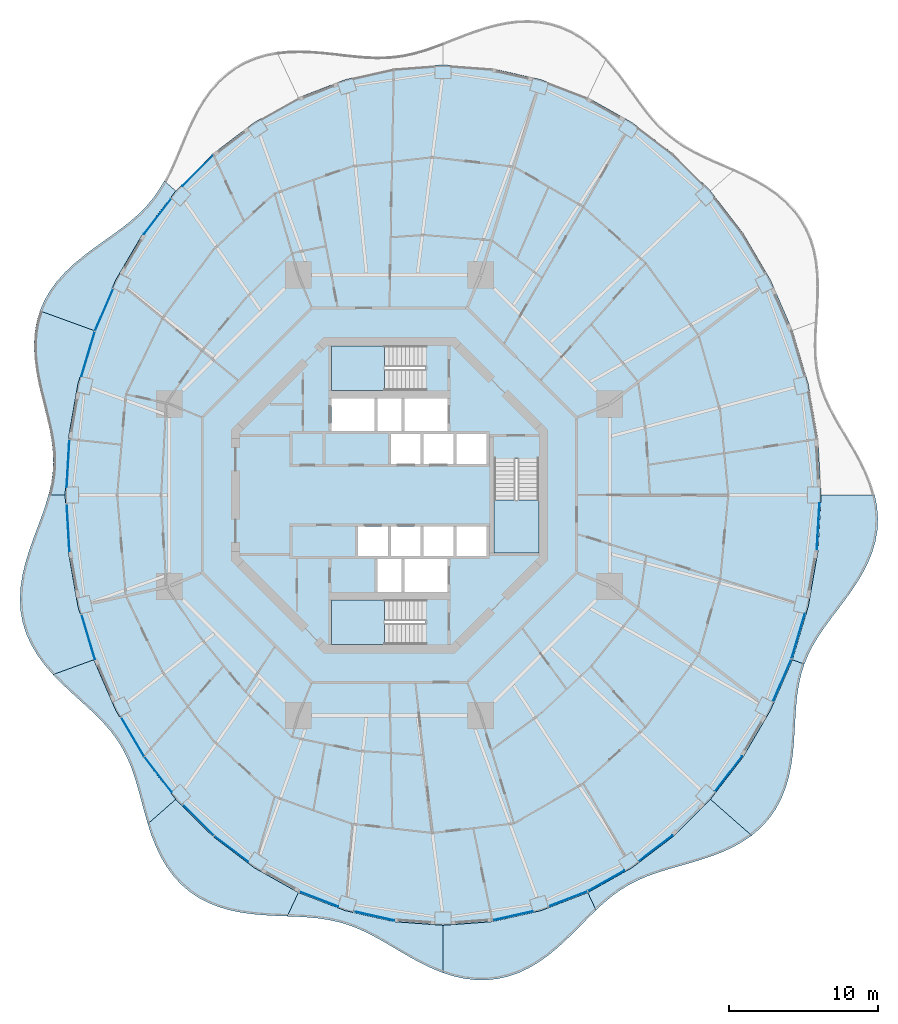
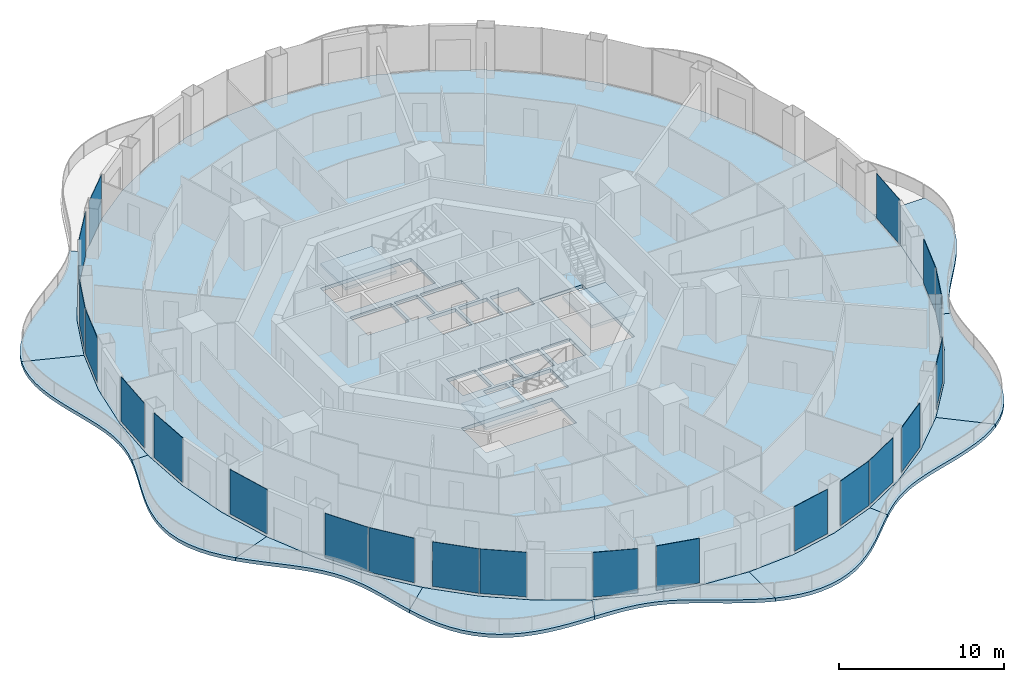
# One storey, part 9 of 19: 21 plates, 14 slabs, 24 elements without a shape of their own.
"""IFC4 building model written with IfcOpenShell, lengths in metres."""

from ifc_helpers import new_model, si_unit, direction, frame, origin, origin_2d, place, context, subcontext, project, spatial, polyline, rectangle, outline, extrude, material, layer, layer_set, type_object, element, aggregate, save


model = new_model("IFC4")

# Units and contexts
model_context = context("Model", 3, precision=1e-05, world=origin(), true_north=direction((0.0, 1.0)))
body_context = subcontext(model_context, "Body", "Model", "MODEL_VIEW")
ifc_project = project(units=[si_unit("LENGTHUNIT", "METRE"), si_unit("AREAUNIT", "SQUARE_METRE"), si_unit("VOLUMEUNIT", "CUBIC_METRE"), si_unit("PLANEANGLEUNIT", "RADIAN"), si_unit("MASSUNIT", "GRAM", prefix="KILO")], contexts=[model_context])

# Site, building, storey
site_placement = place(None, origin())
site = spatial("IfcSite", under=ifc_project, at=site_placement, CompositionType="ELEMENT")
building_placement = place(site_placement, origin())
building = spatial("IfcBuilding", under=site, at=building_placement, Name="Nagisa Residences", CompositionType="ELEMENT")
storey_placement = place(building_placement, frame((0.0, 0.0, 180.699951171875)))
storey = spatial("IfcBuildingStorey", under=building, at=storey_placement, Name="L45", CompositionType="ELEMENT", Elevation=180.699951171875)

# Slabs
ifc_material_1 = material(Name="Concrete C40/50", Category="concrete")
ifc_layer_1 = layer(ifc_material_1, 0.25)
ifc_layer_set_1 = layer_set([ifc_layer_1], Name="BALCONY SLAB 250")
slab_type_1 = type_object("IfcSlabType", Name="BALCONY SLAB 250", PredefinedType="FLOOR", material=ifc_layer_set_1)
slab_1_placement = place(storey_placement, frame((0.0, 0.0, -0.25)))
element("IfcSlab", 1, at=slab_1_placement, inside=storey, type_object=slab_type_1, Name="slab:L45:bal06", PredefinedType="FLOOR", context=body_context, shape_type="SweptSolid", body=[
    extrude(outline(polyline([(-15.109619140625, 21.091552734375), (-15.476806640625, 20.4755859375), (-15.884521484375, 19.899169921875), (-16.338134765625, 19.3603515625), (-16.840087890625, 18.85400390625), (-17.388427734375, 18.373291015625), (-17.978515625, 17.90966796875), (-18.601806640625, 17.453369140625), (-19.24755859375, 16.994873046875), (-19.90185546875, 16.524169921875), (-20.5498046875, 16.03271484375), (-21.17529296875, 15.51318359375), (-21.762451171875, 14.959716796875), (-22.29638671875, 14.368896484375), (-22.763916015625, 13.739013671875), (-23.154541015625, 13.07080078125), (-23.461181640625, 12.366943359375), (-19.843505859375, 11.050048828125), (-18.37548828125, 14.4375), (-16.53125, 17.577880859375), (-14.3427734375, 20.417724609375), (-15.109619140625, 21.091552734375)])), origin(), (0.0, 0.0, 1.0), 0.25),
])
slab_2_placement = place(storey_placement, frame((0.0, 0.0, -0.25)))
element("IfcSlab", 2, at=slab_2_placement, inside=storey, type_object=slab_type_1, Name="slab:L45:bal07", PredefinedType="FLOOR", context=body_context, shape_type="SweptSolid", body=[
    extrude(outline(polyline([(-23.461181640625, 12.366943359375), (-23.685546875, 11.607421875), (-23.816650390625, 10.82080078125), (-23.859375, 10.01416015625), (-23.82275390625, 9.1953125), (-23.719482421875, 8.371826171875), (-23.565185546875, 7.550537109375), (-23.377685546875, 6.737548828125), (-23.176025390625, 5.9375), (-22.9794921875, 5.153076171875), (-22.8056640625, 4.38525390625), (-22.670654296875, 3.633544921875), (-22.5869140625, 2.8955078125), (-22.563720703125, 2.167724609375), (-22.60595703125, 1.44580078125), (-22.71337890625, 0.724853515625), (-22.88134765625, 0.0), (-21.77490234375, 0.0), (-21.557861328125, 3.76904296875), (-20.910400390625, 7.473388671875), (-19.843505859375, 11.050048828125), (-23.461181640625, 12.366943359375)])), origin(), (0.0, 0.0, 1.0), 0.25),
])
slab_3_placement = place(storey_placement, frame((0.0, 0.0, -0.25)))
element("IfcSlab", 3, at=slab_3_placement, inside=storey, type_object=slab_type_1, Name="slab:L45:bal08", PredefinedType="FLOOR", context=body_context, shape_type="SweptSolid", body=[
    extrude(outline(polyline([(-22.88134765625, 0.0), (-23.1015625, -0.733154296875), (-23.360595703125, -1.478271484375), (-23.643310546875, -2.2373046875), (-23.930908203125, -3.01123046875), (-24.204833984375, -3.798828125), (-24.445556640625, -4.597900390625), (-24.634521484375, -5.404296875), (-24.756103515625, -6.21240234375), (-24.796875, -7.0166015625), (-24.747314453125, -7.809814453125), (-24.6025390625, -8.5859375), (-24.36181640625, -9.338623046875), (-24.02880859375, -10.063232421875), (-23.612060546875, -10.756591796875), (-23.123046875, -11.4169921875), (-22.5771484375, -12.045166015625), (-19.843505859375, -11.050048828125), (-20.910400390625, -7.473388671875), (-21.557861328125, -3.76904296875), (-21.77490234375, 0.0), (-22.88134765625, 0.0)])), origin(), (0.0, 0.0, 1.0), 0.25),
])
slab_4_placement = place(storey_placement, frame((0.0, 0.0, -0.25)))
element("IfcSlab", 4, at=slab_4_placement, inside=storey, type_object=slab_type_1, Name="slab:L45:bal09", PredefinedType="FLOOR", context=body_context, shape_type="SweptSolid", body=[
    extrude(outline(polyline([(-22.5771484375, -12.045166015625), (-22.009765625, -12.62548828125), (-21.421142578125, -13.182373046875), (-20.828369140625, -13.7216796875), (-20.24658203125, -14.25048828125), (-19.6904296875, -14.777099609375), (-19.171630859375, -15.31005859375), (-18.6982421875, -15.857421875), (-18.27587890625, -16.4267578125), (-17.90576171875, -17.0244140625), (-17.585693359375, -17.65478515625), (-17.310302734375, -18.31982421875), (-17.0703125, -19.01953125), (-16.854736328125, -19.750732421875), (-16.650146484375, -20.5078125), (-16.44287109375, -21.282958984375), (-16.218017578125, -22.065673828125), (-14.3427734375, -20.417724609375), (-16.53125, -17.577880859375), (-18.37548828125, -14.4375), (-19.843505859375, -11.050048828125), (-22.5771484375, -12.045166015625)])), origin(), (0.0, 0.0, 1.0), 0.25),
])
slab_5_placement = place(storey_placement, frame((0.0, 0.0, -0.25)))
element("IfcSlab", 5, at=slab_5_placement, inside=storey, type_object=slab_type_1, Name="slab:L45:bal10", PredefinedType="FLOOR", context=body_context, shape_type="SweptSolid", body=[
    extrude(outline(polyline([(-16.218017578125, -22.065673828125), (-15.975341796875, -22.80810546875), (-15.693603515625, -23.535400390625), (-15.364501953125, -24.236328125), (-14.980712890625, -24.8994140625), (-14.538330078125, -25.514404296875), (-14.035888671875, -26.072509765625), (-13.47412109375, -26.56640625), (-12.8564453125, -26.991455078125), (-12.18896484375, -27.34619140625), (-11.479248046875, -27.630859375), (-10.736083984375, -27.849853515625), (-9.969482421875, -28.009521484375), (-9.189208984375, -28.118896484375), (-8.405029296875, -28.189208984375), (-7.625732421875, -28.233154296875), (-6.858642578125, -28.264404296875), (-6.110595703125, -26.677001953125), (-9.08740234375, -25.006591796875), (-11.847412109375, -22.907958984375), (-14.3427734375, -20.417724609375), (-16.218017578125, -22.065673828125)])), origin(), (0.0, 0.0, 1.0), 0.25),
])
slab_6_placement = place(storey_placement, frame((0.0, 0.0, -0.25)))
element("IfcSlab", 6, at=slab_6_placement, inside=storey, type_object=slab_type_1, Name="slab:L45:bal11", PredefinedType="FLOOR", context=body_context, shape_type="SweptSolid", body=[
    extrude(outline(polyline([(-6.858642578125, -28.264404296875), (-6.13623046875, -28.294921875), (-5.433837890625, -28.33837890625), (-4.752685546875, -28.405029296875), (-4.0927734375, -28.504150390625), (-3.4521484375, -28.642578125), (-2.827392578125, -28.824462890625), (-2.2138671875, -29.0517578125), (-1.606201171875, -29.322509765625), (-0.999267578125, -29.6328125), (-0.386962890625, -29.9755859375), (0.2353515625, -30.3408203125), (0.8720703125, -30.71728515625), (1.526123046875, -31.091796875), (2.198974609375, -31.450439453125), (2.890869140625, -31.779052734375), (3.60009765625, -32.063720703125), (3.60009765625, -28.875), (0.287841796875, -28.6279296875), (-2.967529296875, -27.89111328125), (-6.110595703125, -26.677001953125), (-6.858642578125, -28.264404296875)])), origin(), (0.0, 0.0, 1.0), 0.25),
])
slab_7_placement = place(storey_placement, frame((0.0, 0.0, -0.25)))
element("IfcSlab", 7, at=slab_7_placement, inside=storey, type_object=slab_type_1, Name="slab:L45:bal12", PredefinedType="FLOOR", context=body_context, shape_type="SweptSolid", body=[
    extrude(outline(polyline([(3.60009765625, -32.063720703125), (4.32373046875, -32.292236328125), (5.0576171875, -32.45361328125), (5.79638671875, -32.53955078125), (6.533935546875, -32.5439453125), (7.2646484375, -32.46435546875), (7.98193359375, -32.300537109375), (8.680419921875, -32.05615234375), (9.35595703125, -31.7373046875), (10.004638671875, -31.3525390625), (10.625244140625, -30.912841796875), (11.217529296875, -30.430908203125), (11.783203125, -29.919677734375), (12.3251953125, -29.39306640625), (12.848388671875, -28.864501953125), (13.35888671875, -28.346435546875), (13.86328125, -27.849609375), (13.310546875, -26.677001953125), (10.16748046875, -27.89111328125), (6.912109375, -28.6279296875), (3.60009765625, -28.875), (3.60009765625, -32.063720703125)])), origin(), (0.0, 0.0, 1.0), 0.25),
])
slab_8_placement = place(storey_placement, frame((0.0, 0.0, -0.25)))
element("IfcSlab", 8, at=slab_8_placement, inside=storey, type_object=slab_type_1, Name="slab:L45:bal13", PredefinedType="FLOOR", context=body_context, shape_type="SweptSolid", body=[
    extrude(outline(polyline([(13.86328125, -27.849609375), (14.387939453125, -27.366455078125), (14.921875, -26.923095703125), (15.472412109375, -26.52392578125), (16.0458984375, -26.170166015625), (16.647216796875, -25.85986328125), (17.27880859375, -25.588134765625), (17.94140625, -25.347412109375), (18.6328125, -25.12890625), (19.34912109375, -24.92138671875), (20.083251953125, -24.713134765625), (20.826904296875, -24.492431640625), (21.56982421875, -24.24755859375), (22.30078125, -23.968505859375), (23.008056640625, -23.646240234375), (23.680419921875, -23.273681640625), (24.306640625, -22.846435546875), (21.542724609375, -20.417724609375), (19.04736328125, -22.907958984375), (16.28759765625, -25.006591796875), (13.310546875, -26.677001953125), (13.86328125, -27.849609375)])), origin(), (0.0, 0.0, 1.0), 0.25),
])
slab_9_placement = place(storey_placement, frame((0.0, 0.0, -0.25)))
element("IfcSlab", 9, at=slab_9_placement, inside=storey, type_object=slab_type_1, Name="slab:L45:bal14", PredefinedType="FLOOR", context=body_context, shape_type="SweptSolid", body=[
    extrude(outline(polyline([(24.306640625, -22.846435546875), (24.904052734375, -22.3369140625), (25.431884765625, -21.76513671875), (25.885009765625, -21.13427734375), (26.2607421875, -20.4501953125), (26.560546875, -19.720458984375), (26.7890625, -18.954833984375), (26.95458984375, -18.16357421875), (27.06787109375, -17.357421875), (27.142822265625, -16.546875), (27.19384765625, -15.7412109375), (27.2373046875, -14.94921875), (27.2890625, -14.1767578125), (27.363525390625, -13.428466796875), (27.47412109375, -12.70654296875), (27.63134765625, -12.011474609375), (27.84228515625, -11.3408203125), (27.04345703125, -11.050048828125), (25.575439453125, -14.4375), (23.7314453125, -17.577880859375), (21.542724609375, -20.417724609375), (24.306640625, -22.846435546875)])), origin(), (0.0, 0.0, 1.0), 0.25),
])
slab_10_placement = place(storey_placement, frame((0.0, 0.0, -0.25)))
element("IfcSlab", 10, at=slab_10_placement, inside=storey, type_object=slab_type_1, Name="slab:L45:bal15", PredefinedType="FLOOR", context=body_context, shape_type="SweptSolid", body=[
    extrude(outline(polyline([(27.84228515625, -11.3408203125), (28.1201171875, -10.670654296875), (28.45849609375, -10.017578125), (28.853271484375, -9.375), (29.294921875, -8.73583984375), (29.770751953125, -8.09326171875), (30.265380859375, -7.44091796875), (30.760498046875, -6.7734375), (31.237548828125, -6.08740234375), (31.677001953125, -5.38037109375), (32.061279296875, -4.65185546875), (32.37451171875, -3.903564453125), (32.60400390625, -3.137939453125), (32.740478515625, -2.359619140625), (32.779296875, -1.573486328125), (32.720458984375, -0.78515625), (32.568603515625, 0.0), (28.97509765625, 0.0), (28.7578125, -3.76904296875), (28.1103515625, -7.473388671875), (27.04345703125, -11.050048828125), (27.84228515625, -11.3408203125)])), origin(), (0.0, 0.0, 1.0), 0.25),
])

# Curtain wall, plate
ifc_material_2 = material(Name="Concrete-coloured aluminium curtain wall system", Category="concrete")
ifc_layer_2 = layer(ifc_material_2, 0.159912109375)
ifc_layer_set_2 = layer_set([ifc_layer_2], Name="CW1 CURTAIN WALL")
curtain_wall_type = type_object("IfcCurtainWallType", Name="CW1 CURTAIN WALL", PredefinedType="NOTDEFINED", material=ifc_layer_set_2)
curtain_wall_1_placement = place(storey_placement, origin())
curtain_wall_1 = element("IfcCurtainWall", 11, at=curtain_wall_1_placement, inside=storey, type_object=curtain_wall_type, Name="cw:CW1:L45:17", PredefinedType="NOTDEFINED")
ifc_material_3 = material(Name="Clear laminated glass", Category="glass")
ifc_layer_3 = layer(ifc_material_3, 0.028076171875)
ifc_layer_set_3 = layer_set([ifc_layer_3], Name="CW1 GLASS PANEL")
plate_type = type_object("IfcPlateType", Name="CW1 GLASS PANEL", PredefinedType="CURTAIN_PANEL", material=ifc_layer_set_3)
plate_1_placement = place(storey_placement, frame((-12.865234375, 21.779296875, 0.150146484375), z_axis=(0.0, 0.0, 1.0), x_axis=(-0.707835924016, -0.706376885714, 0.0)))
plate_1 = element("IfcPlate", 12, at=plate_1_placement, type_object=plate_type, Name="CW1 panel", PredefinedType="CURTAIN_PANEL", context=body_context, shape_type="SweptSolid", body=[
    extrude(rectangle(XDim=2.91552734375, YDim=0.028076171875, at=origin_2d()), origin(), (0.0, 0.0, 1.0), 3.2900390625),
])
aggregate(curtain_wall_1, [plate_1])

curtain_wall_2_placement = place(storey_placement, origin())
curtain_wall_2 = element("IfcCurtainWall", 13, at=curtain_wall_2_placement, inside=storey, type_object=curtain_wall_type, Name="cw:CW1:L45:18", PredefinedType="NOTDEFINED")
plate_2_placement = place(storey_placement, frame((-15.559814453125, 18.70751953125, 0.150146484375), z_axis=(0.0, 0.0, 1.0), x_axis=(-0.610429828235, -0.792070340816, 0.0)))
plate_2 = element("IfcPlate", 14, at=plate_2_placement, type_object=plate_type, Name="CW1 panel", PredefinedType="CURTAIN_PANEL", context=body_context, shape_type="SweptSolid", body=[
    extrude(rectangle(XDim=2.97509765625, YDim=0.028076171875, at=origin_2d()), origin(), (0.0, 0.0, 1.0), 3.2900390625),
])
aggregate(curtain_wall_2, [plate_2])

curtain_wall_3_placement = place(storey_placement, origin())
curtain_wall_3 = element("IfcCurtainWall", 15, at=curtain_wall_3_placement, inside=storey, type_object=curtain_wall_type, Name="cw:CW1:L45:20", PredefinedType="NOTDEFINED")
plate_3_placement = place(storey_placement, frame((-19.1572265625, 12.43212890625, 0.150146484375), z_axis=(0.0, 0.0, 1.0), x_axis=(-0.397635934147, -0.917543276295, 0.0)))
plate_3 = element("IfcPlate", 16, at=plate_3_placement, type_object=plate_type, Name="CW1 panel", PredefinedType="CURTAIN_PANEL", context=body_context, shape_type="SweptSolid", body=[
    extrude(rectangle(XDim=3.08203125, YDim=0.028076171875, at=origin_2d()), origin(), (0.0, 0.0, 1.0), 3.2900390625),
])
aggregate(curtain_wall_3, [plate_3])

curtain_wall_4_placement = place(storey_placement, origin())
curtain_wall_4 = element("IfcCurtainWall", 17, at=curtain_wall_4_placement, inside=storey, type_object=curtain_wall_type, Name="cw:CW1:L45:21", PredefinedType="NOTDEFINED")
plate_4_placement = place(storey_placement, frame((-20.230224609375, 9.4736328125, 0.150146484375), z_axis=(0.0, 0.0, 1.0), x_axis=(-0.285860274038, -0.958271310082, 0.0)))
plate_4 = element("IfcPlate", 18, at=plate_4_placement, type_object=plate_type, Name="CW1 panel", PredefinedType="CURTAIN_PANEL", context=body_context, shape_type="SweptSolid", body=[
    extrude(rectangle(XDim=3.122314453125, YDim=0.028076171875, at=origin_2d()), origin(), (0.0, 0.0, 1.0), 3.2900390625),
])
aggregate(curtain_wall_4, [plate_4])

curtain_wall_5_placement = place(storey_placement, origin())
curtain_wall_5 = element("IfcCurtainWall", 19, at=curtain_wall_5_placement, inside=storey, type_object=curtain_wall_type, Name="cw:CW1:L45:23", PredefinedType="NOTDEFINED")
plate_5_placement = place(storey_placement, frame((-21.572509765625, 2.12451171875, 0.150146484375), z_axis=(0.0, 0.0, 1.0), x_axis=(-0.057503492216, -0.998345305184, 0.0)))
plate_5 = element("IfcPlate", 20, at=plate_5_placement, type_object=plate_type, Name="CW1 panel", PredefinedType="CURTAIN_PANEL", context=body_context, shape_type="SweptSolid", body=[
    extrude(rectangle(XDim=3.165283203125, YDim=0.028076171875, at=origin_2d()), origin(), (0.0, 0.0, 1.0), 3.2900390625),
])
aggregate(curtain_wall_5, [plate_5])

curtain_wall_6_placement = place(storey_placement, origin())
curtain_wall_6 = element("IfcCurtainWall", 21, at=curtain_wall_6_placement, inside=storey, type_object=curtain_wall_type, Name="cw:CW1:L45:24", PredefinedType="NOTDEFINED")
plate_6_placement = place(storey_placement, frame((-21.569091796875, -2.184326171875, 0.150146484375), z_axis=(0.0, 0.0, 1.0), x_axis=(0.057503492216, -0.998345305184, 0.0)))
plate_6 = element("IfcPlate", 22, at=plate_6_placement, type_object=plate_type, Name="CW1 panel", PredefinedType="CURTAIN_PANEL", context=body_context, shape_type="SweptSolid", body=[
    extrude(rectangle(XDim=3.165283203125, YDim=0.028076171875, at=origin_2d()), origin(), (0.0, 0.0, 1.0), 3.2900390625),
])
aggregate(curtain_wall_6, [plate_6])

curtain_wall_7_placement = place(storey_placement, origin())
curtain_wall_7 = element("IfcCurtainWall", 23, at=curtain_wall_7_placement, inside=storey, type_object=curtain_wall_type, Name="cw:CW1:L45:26", PredefinedType="NOTDEFINED")
plate_7_placement = place(storey_placement, frame((-20.213134765625, -9.531005859375, 0.150146484375), z_axis=(0.0, 0.0, 1.0), x_axis=(0.285860274038, -0.958271310082, 0.0)))
plate_7 = element("IfcPlate", 24, at=plate_7_placement, type_object=plate_type, Name="CW1 panel", PredefinedType="CURTAIN_PANEL", context=body_context, shape_type="SweptSolid", body=[
    extrude(rectangle(XDim=3.122314453125, YDim=0.028076171875, at=origin_2d()), origin(), (0.0, 0.0, 1.0), 3.2900390625),
])
aggregate(curtain_wall_7, [plate_7])

curtain_wall_8_placement = place(storey_placement, origin())
curtain_wall_8 = element("IfcCurtainWall", 25, at=curtain_wall_8_placement, inside=storey, type_object=curtain_wall_type, Name="cw:CW1:L45:28", PredefinedType="NOTDEFINED")
plate_8_placement = place(storey_placement, frame((-17.22998046875, -16.230224609375, 0.150146484375), z_axis=(0.0, 0.0, 1.0), x_axis=(0.506348567002, -0.862328898214, 0.0)))
plate_8 = element("IfcPlate", 26, at=plate_8_placement, type_object=plate_type, Name="CW1 panel", PredefinedType="CURTAIN_PANEL", context=body_context, shape_type="SweptSolid", body=[
    extrude(rectangle(XDim=3.031982421875, YDim=0.028076171875, at=origin_2d()), origin(), (0.0, 0.0, 1.0), 3.2900390625),
])
aggregate(curtain_wall_8, [plate_8])

curtain_wall_9_placement = place(storey_placement, origin())
curtain_wall_9 = element("IfcCurtainWall", 27, at=curtain_wall_9_placement, inside=storey, type_object=curtain_wall_type, Name="cw:CW1:L45:29", PredefinedType="NOTDEFINED")
plate_9_placement = place(storey_placement, frame((-15.523193359375, -18.7548828125, 0.150146484375), z_axis=(0.0, 0.0, 1.0), x_axis=(0.610429828235, -0.792070340816, 0.0)))
plate_9 = element("IfcPlate", 28, at=plate_9_placement, type_object=plate_type, Name="CW1 panel", PredefinedType="CURTAIN_PANEL", context=body_context, shape_type="SweptSolid", body=[
    extrude(rectangle(XDim=2.97509765625, YDim=0.028076171875, at=origin_2d()), origin(), (0.0, 0.0, 1.0), 3.2900390625),
])
aggregate(curtain_wall_9, [plate_9])

curtain_wall_10_placement = place(storey_placement, origin())
curtain_wall_10 = element("IfcCurtainWall", 29, at=curtain_wall_10_placement, inside=storey, type_object=curtain_wall_type, Name="cw:CW1:L45:30", PredefinedType="NOTDEFINED")
plate_10_placement = place(storey_placement, frame((-12.82275390625, -21.82177734375, 0.150146484375), z_axis=(0.0, 0.0, 1.0), x_axis=(0.707835924016, -0.706376885714, 0.0)))
plate_10 = element("IfcPlate", 30, at=plate_10_placement, type_object=plate_type, Name="CW1 panel", PredefinedType="CURTAIN_PANEL", context=body_context, shape_type="SweptSolid", body=[
    extrude(rectangle(XDim=2.91552734375, YDim=0.028076171875, at=origin_2d()), origin(), (0.0, 0.0, 1.0), 3.2900390625),
])
aggregate(curtain_wall_10, [plate_10])

curtain_wall_11_placement = place(storey_placement, origin())
curtain_wall_11 = element("IfcCurtainWall", 31, at=curtain_wall_11_placement, inside=storey, type_object=curtain_wall_type, Name="cw:CW1:L45:31", PredefinedType="NOTDEFINED")
plate_11_placement = place(storey_placement, frame((-10.614013671875, -23.745361328125, 0.150146484375), z_axis=(0.0, 0.0, 1.0), x_axis=(0.79603132756, -0.605255421737, 0.0)))
plate_11 = element("IfcPlate", 32, at=plate_11_placement, type_object=plate_type, Name="CW1 panel", PredefinedType="CURTAIN_PANEL", context=body_context, shape_type="SweptSolid", body=[
    extrude(rectangle(XDim=2.85693359375, YDim=0.028076171875, at=origin_2d()), origin(), (0.0, 0.0, 1.0), 3.2900390625),
])
aggregate(curtain_wall_11, [plate_11])

curtain_wall_12_placement = place(storey_placement, origin())
curtain_wall_12 = element("IfcCurtainWall", 33, at=curtain_wall_12_placement, inside=storey, type_object=curtain_wall_type, Name="cw:CW1:L45:33", PredefinedType="NOTDEFINED")
plate_12_placement = place(storey_placement, frame((-4.73876953125, -27.12109375, 0.150146484375), z_axis=(0.0, 0.0, 1.0), x_axis=(0.932825759707, -0.360327770268, 0.0)))
plate_12 = element("IfcPlate", 34, at=plate_12_placement, type_object=plate_type, Name="CW1 panel", PredefinedType="CURTAIN_PANEL", context=body_context, shape_type="SweptSolid", body=[
    extrude(rectangle(XDim=2.75927734375, YDim=0.028076171875, at=origin_2d()), origin(), (0.0, 0.0, 1.0), 3.2900390625),
])
aggregate(curtain_wall_12, [plate_12])

curtain_wall_13_placement = place(storey_placement, origin())
curtain_wall_13 = element("IfcCurtainWall", 35, at=curtain_wall_13_placement, inside=storey, type_object=curtain_wall_type, Name="cw:CW1:L45:34", PredefinedType="NOTDEFINED")
plate_13_placement = place(storey_placement, frame((-1.024658203125, -28.248779296875, 0.150146484375), z_axis=(0.0, 0.0, 1.0), x_axis=(0.975327274089, -0.2207639201, 0.0)))
plate_13 = element("IfcPlate", 36, at=plate_13_placement, type_object=plate_type, Name="CW1 panel", PredefinedType="CURTAIN_PANEL", context=body_context, shape_type="SweptSolid", body=[
    extrude(rectangle(XDim=2.727783203125, YDim=0.028076171875, at=origin_2d()), origin(), (0.0, 0.0, 1.0), 3.2900390625),
])
aggregate(curtain_wall_13, [plate_13])

curtain_wall_14_placement = place(storey_placement, origin())
curtain_wall_14 = element("IfcCurtainWall", 37, at=curtain_wall_14_placement, inside=storey, type_object=curtain_wall_type, Name="cw:CW1:L45:37", PredefinedType="NOTDEFINED")
plate_14_placement = place(storey_placement, frame((8.283203125, -28.235595703125, 0.150146484375), z_axis=(0.0, 0.0, 1.0), x_axis=(0.975327274089, 0.2207639201, 0.0)))
plate_14 = element("IfcPlate", 38, at=plate_14_placement, type_object=plate_type, Name="CW1 panel", PredefinedType="CURTAIN_PANEL", context=body_context, shape_type="SweptSolid", body=[
    extrude(rectangle(XDim=2.727783203125, YDim=0.028076171875, at=origin_2d()), origin(), (0.0, 0.0, 1.0), 3.2900390625),
])
aggregate(curtain_wall_14, [plate_14])

curtain_wall_15_placement = place(storey_placement, origin())
curtain_wall_15 = element("IfcCurtainWall", 39, at=curtain_wall_15_placement, inside=storey, type_object=curtain_wall_type, Name="cw:CW1:L45:38", PredefinedType="NOTDEFINED")
plate_15_placement = place(storey_placement, frame((11.99462890625, -27.099609375, 0.150146484375), z_axis=(0.0, 0.0, 1.0), x_axis=(0.932825759707, 0.360327770268, 0.0)))
plate_15 = element("IfcPlate", 40, at=plate_15_placement, type_object=plate_type, Name="CW1 panel", PredefinedType="CURTAIN_PANEL", context=body_context, shape_type="SweptSolid", body=[
    extrude(rectangle(XDim=2.75927734375, YDim=0.028076171875, at=origin_2d()), origin(), (0.0, 0.0, 1.0), 3.2900390625),
])
aggregate(curtain_wall_15, [plate_15])

curtain_wall_16_placement = place(storey_placement, origin())
curtain_wall_16 = element("IfcCurtainWall", 41, at=curtain_wall_16_placement, inside=storey, type_object=curtain_wall_type, Name="cw:CW1:L45:39", PredefinedType="NOTDEFINED")
plate_16_placement = place(storey_placement, frame((14.546142578125, -25.891845703125, 0.150146484375), z_axis=(0.0, 0.0, 1.0), x_axis=(0.872072377523, 0.489376918501, 0.0)))
plate_16 = element("IfcPlate", 42, at=plate_16_placement, type_object=plate_type, Name="CW1 panel", PredefinedType="CURTAIN_PANEL", context=body_context, shape_type="SweptSolid", body=[
    extrude(rectangle(XDim=2.8037109375, YDim=0.028076171875, at=origin_2d()), origin(), (0.0, 0.0, 1.0), 3.2900390625),
])
aggregate(curtain_wall_16, [plate_16])

curtain_wall_17_placement = place(storey_placement, origin())
curtain_wall_17 = element("IfcCurtainWall", 43, at=curtain_wall_17_placement, inside=storey, type_object=curtain_wall_type, Name="cw:CW1:L45:40", PredefinedType="NOTDEFINED")
plate_17_placement = place(storey_placement, frame((17.86181640625, -23.708984375, 0.150146484375), z_axis=(0.0, 0.0, 1.0), x_axis=(0.79603132756, 0.605255421737, 0.0)))
plate_17 = element("IfcPlate", 44, at=plate_17_placement, type_object=plate_type, Name="CW1 panel", PredefinedType="CURTAIN_PANEL", context=body_context, shape_type="SweptSolid", body=[
    extrude(rectangle(XDim=2.85693359375, YDim=0.028076171875, at=origin_2d()), origin(), (0.0, 0.0, 1.0), 3.2900390625),
])
aggregate(curtain_wall_17, [plate_17])

curtain_wall_18_placement = place(storey_placement, origin())
curtain_wall_18 = element("IfcCurtainWall", 45, at=curtain_wall_18_placement, inside=storey, type_object=curtain_wall_type, Name="cw:CW1:L45:42", PredefinedType="NOTDEFINED")
plate_18_placement = place(storey_placement, frame((22.760009765625, -18.70751953125, 0.150146484375), z_axis=(0.0, 0.0, 1.0), x_axis=(0.610429828235, 0.792070340816, 0.0)))
plate_18 = element("IfcPlate", 46, at=plate_18_placement, type_object=plate_type, Name="CW1 panel", PredefinedType="CURTAIN_PANEL", context=body_context, shape_type="SweptSolid", body=[
    extrude(rectangle(XDim=2.97509765625, YDim=0.028076171875, at=origin_2d()), origin(), (0.0, 0.0, 1.0), 3.2900390625),
])
aggregate(curtain_wall_18, [plate_18])

curtain_wall_19_placement = place(storey_placement, origin())
curtain_wall_19 = element("IfcCurtainWall", 47, at=curtain_wall_19_placement, inside=storey, type_object=curtain_wall_type, Name="cw:CW1:L45:44", PredefinedType="NOTDEFINED")
plate_19_placement = place(storey_placement, frame((26.357177734375, -12.43212890625, 0.150146484375), z_axis=(0.0, 0.0, 1.0), x_axis=(0.397635934147, 0.917543276295, 0.0)))
plate_19 = element("IfcPlate", 48, at=plate_19_placement, type_object=plate_type, Name="CW1 panel", PredefinedType="CURTAIN_PANEL", context=body_context, shape_type="SweptSolid", body=[
    extrude(rectangle(XDim=3.08203125, YDim=0.028076171875, at=origin_2d()), origin(), (0.0, 0.0, 1.0), 3.2900390625),
])
aggregate(curtain_wall_19, [plate_19])

curtain_wall_20_placement = place(storey_placement, origin())
curtain_wall_20 = element("IfcCurtainWall", 49, at=curtain_wall_20_placement, inside=storey, type_object=curtain_wall_type, Name="cw:CW1:L45:45", PredefinedType="NOTDEFINED")
plate_20_placement = place(storey_placement, frame((27.43017578125, -9.4736328125, 0.150146484375), z_axis=(0.0, 0.0, 1.0), x_axis=(0.285860274038, 0.958271310082, 0.0)))
plate_20 = element("IfcPlate", 50, at=plate_20_placement, type_object=plate_type, Name="CW1 panel", PredefinedType="CURTAIN_PANEL", context=body_context, shape_type="SweptSolid", body=[
    extrude(rectangle(XDim=3.122314453125, YDim=0.028076171875, at=origin_2d()), origin(), (0.0, 0.0, 1.0), 3.2900390625),
])
aggregate(curtain_wall_20, [plate_20])

curtain_wall_21_placement = place(storey_placement, origin())
curtain_wall_21 = element("IfcCurtainWall", 51, at=curtain_wall_21_placement, inside=storey, type_object=curtain_wall_type, Name="cw:CW1:L45:47", PredefinedType="NOTDEFINED")
plate_21_placement = place(storey_placement, frame((28.7724609375, -2.12451171875, 0.150146484375), z_axis=(0.0, 0.0, 1.0), x_axis=(0.057503492216, 0.998345305184, 0.0)))
plate_21 = element("IfcPlate", 52, at=plate_21_placement, type_object=plate_type, Name="CW1 panel", PredefinedType="CURTAIN_PANEL", context=body_context, shape_type="SweptSolid", body=[
    extrude(rectangle(XDim=3.165283203125, YDim=0.028076171875, at=origin_2d()), origin(), (0.0, 0.0, 1.0), 3.2900390625),
])
aggregate(curtain_wall_21, [plate_21])

# Slab
ifc_material_4 = material(Name="Concrete C40", Category="concrete")
ifc_layer_4 = layer(ifc_material_4, 0.260009765625)
ifc_layer_set_4 = layer_set([ifc_layer_4], Name="Floor slab 260")
slab_type_2 = type_object("IfcSlabType", Name="Floor slab 260", PredefinedType="FLOOR", material=ifc_layer_set_4)
slab_11_placement = place(storey_placement, frame((0.0, 0.0, -0.260009765625)))
element("IfcSlab", 53, at=slab_11_placement, inside=storey, type_object=slab_type_2, Name="slab:L45:floor", PredefinedType="FLOOR", context=body_context, shape_type="SweptSolid", body=[
    extrude(outline(polyline([(28.97509765625, 0.0), (28.7578125, 3.76904296875), (28.1103515625, 7.473388671875), (27.04345703125, 11.050048828125), (25.575439453125, 14.4375), (23.7314453125, 17.577880859375), (21.542724609375, 20.417724609375), (19.04736328125, 22.907958984375), (16.28759765625, 25.006591796875), (13.310546875, 26.677001953125), (10.16748046875, 27.89111328125), (6.912109375, 28.6279296875), (3.60009765625, 28.875), (0.287841796875, 28.6279296875), (-2.967529296875, 27.89111328125), (-6.110595703125, 26.677001953125), (-9.08740234375, 25.006591796875), (-11.847412109375, 22.907958984375), (-14.3427734375, 20.417724609375), (-16.53125, 17.577880859375), (-18.37548828125, 14.4375), (-19.843505859375, 11.050048828125), (-20.910400390625, 7.473388671875), (-21.557861328125, 3.76904296875), (-21.77490234375, 0.0), (-21.557861328125, -3.76904296875), (-20.910400390625, -7.473388671875), (-19.843505859375, -11.050048828125), (-18.37548828125, -14.4375), (-16.53125, -17.577880859375), (-14.3427734375, -20.417724609375), (-11.847412109375, -22.907958984375), (-9.08740234375, -25.006591796875), (-6.110595703125, -26.677001953125), (-2.967529296875, -27.89111328125), (0.287841796875, -28.6279296875), (3.60009765625, -28.875), (6.912109375, -28.6279296875), (10.16748046875, -27.89111328125), (13.310546875, -26.677001953125), (16.28759765625, -25.006591796875), (19.04736328125, -22.907958984375), (21.542724609375, -20.417724609375), (23.7314453125, -17.577880859375), (25.575439453125, -14.4375), (27.04345703125, -11.050048828125), (28.1103515625, -7.473388671875), (28.7578125, -3.76904296875), (28.97509765625, 0.0)]), holes=[polyline([(2.10009765625, 2.10009765625), (2.10009765625, 4.10009765625), (0.10009765625, 4.10009765625), (0.10009765625, 2.10009765625), (2.10009765625, 2.10009765625)]), polyline([(4.300048828125, 2.10009765625), (4.300048828125, 4.10009765625), (2.300048828125, 4.10009765625), (2.300048828125, 2.10009765625), (4.300048828125, 2.10009765625)]), polyline([(6.5, 2.10009765625), (6.5, 4.10009765625), (4.5, 4.10009765625), (4.5, 2.10009765625), (6.5, 2.10009765625)]), polyline([(-0.10009765625, -4.10009765625), (-0.10009765625, -2.10009765625), (-2.10009765625, -2.10009765625), (-2.10009765625, -4.10009765625), (-0.10009765625, -4.10009765625)]), polyline([(2.10009765625, -4.10009765625), (2.10009765625, -2.10009765625), (0.10009765625, -2.10009765625), (0.10009765625, -4.10009765625), (2.10009765625, -4.10009765625)]), polyline([(4.300048828125, -4.10009765625), (4.300048828125, -2.10009765625), (2.300048828125, -2.10009765625), (2.300048828125, -4.10009765625), (4.300048828125, -4.10009765625)]), polyline([(6.5, -4.10009765625), (6.5, -2.10009765625), (4.5, -2.10009765625), (4.5, -4.10009765625), (6.5, -4.10009765625)]), polyline([(3.89990234375, 4.300048828125), (3.89990234375, 6.5), (1.0, 6.5), (1.0, 4.300048828125), (3.89990234375, 4.300048828125)]), polyline([(3.89990234375, -6.5), (3.89990234375, -4.300048828125), (1.0, -4.300048828125), (1.0, -6.5), (3.89990234375, -6.5)]), polyline([(-1.0, 4.300048828125), (-1.0, 6.5), (-3.89990234375, 6.5), (-3.89990234375, 4.300048828125), (-1.0, 4.300048828125)]), polyline([(0.800048828125, 4.300048828125), (0.800048828125, 6.5), (-0.800048828125, 6.5), (-0.800048828125, 4.300048828125), (0.800048828125, 4.300048828125)]), polyline([(0.800048828125, -6.5), (0.800048828125, -4.300048828125), (-0.800048828125, -4.300048828125), (-0.800048828125, -6.5), (0.800048828125, -6.5)]), polyline([(10.024658203125, -3.89990234375), (7.024658203125, -3.89990234375), (7.024658203125, 2.425048828125), (10.024658203125, 2.425048828125), (10.024658203125, -3.89990234375)]), polyline([(-3.89990234375, 7.024658203125), (-3.89990234375, 10.024658203125), (2.425048828125, 10.024658203125), (2.425048828125, 7.024658203125), (-3.89990234375, 7.024658203125)]), polyline([(-3.89990234375, -10.024658203125), (-3.89990234375, -7.024658203125), (2.425048828125, -7.024658203125), (2.425048828125, -10.024658203125), (-3.89990234375, -10.024658203125)])]), origin(), (0.0, 0.0, 1.0), 0.260009765625),
])

# Stair, slab
ifc_material_5 = material(Name="Concrete C60", Category="concrete")
stair_type = type_object("IfcStairType", Name="Exit stair", PredefinedType="HALF_TURN_STAIR", material=ifc_material_5)
stair_1_placement = place(storey_placement, origin())
stair_1 = element("IfcStair", 54, at=stair_1_placement, inside=storey, type_object=stair_type, Name="L45 Exit stair E", PredefinedType="HALF_TURN_STAIR")
ifc_material_6 = material(Name="Concrete C60", Category="concrete")
ifc_layer_5 = layer(ifc_material_6, 0.199951171875)
ifc_layer_set_5 = layer_set([ifc_layer_5], Name="Stair landing")
slab_type_3 = type_object("IfcSlabType", Name="Stair landing", PredefinedType="LANDING", material=ifc_layer_set_5)
slab_12_placement = place(storey_placement, frame((0.0, 0.0, 1.650146484375)))
slab_12 = element("IfcSlab", 55, at=slab_12_placement, type_object=slab_type_3, Name="ST-E landing 1", PredefinedType="LANDING", context=body_context, shape_type="SweptSolid", body=[
    extrude(outline(polyline([(7.024658203125, -0.324951171875), (7.024658203125, -3.89990234375), (10.024658203125, -3.89990234375), (10.024658203125, -0.324951171875), (7.024658203125, -0.324951171875)])), origin(), (0.0, 0.0, 1.0), 0.199951171875),
])
aggregate(stair_1, [slab_12])

stair_2_placement = place(storey_placement, origin())
stair_2 = element("IfcStair", 56, at=stair_2_placement, inside=storey, type_object=stair_type, Name="L45 Exit stair N", PredefinedType="HALF_TURN_STAIR")
slab_13_placement = place(storey_placement, frame((0.0, 0.0, 1.650146484375)))
slab_13 = element("IfcSlab", 57, at=slab_13_placement, type_object=slab_type_3, Name="ST-N landing 1", PredefinedType="LANDING", context=body_context, shape_type="SweptSolid", body=[
    extrude(outline(polyline([(-0.324951171875, 10.024658203125), (-3.89990234375, 10.024658203125), (-3.89990234375, 7.024658203125), (-0.324951171875, 7.024658203125), (-0.324951171875, 10.024658203125)])), origin(), (0.0, 0.0, 1.0), 0.199951171875),
])
aggregate(stair_2, [slab_13])

stair_3_placement = place(storey_placement, origin())
stair_3 = element("IfcStair", 58, at=stair_3_placement, inside=storey, type_object=stair_type, Name="L45 Exit stair S", PredefinedType="HALF_TURN_STAIR")
slab_14_placement = place(storey_placement, frame((0.0, 0.0, 1.650146484375)))
slab_14 = element("IfcSlab", 59, at=slab_14_placement, type_object=slab_type_3, Name="ST-S landing 1", PredefinedType="LANDING", context=body_context, shape_type="SweptSolid", body=[
    extrude(outline(polyline([(-0.324951171875, -7.024658203125), (-3.89990234375, -7.024658203125), (-3.89990234375, -10.024658203125), (-0.324951171875, -10.024658203125), (-0.324951171875, -7.024658203125)])), origin(), (0.0, 0.0, 1.0), 0.199951171875),
])
aggregate(stair_3, [slab_14])

save(model, "model.ifc")
